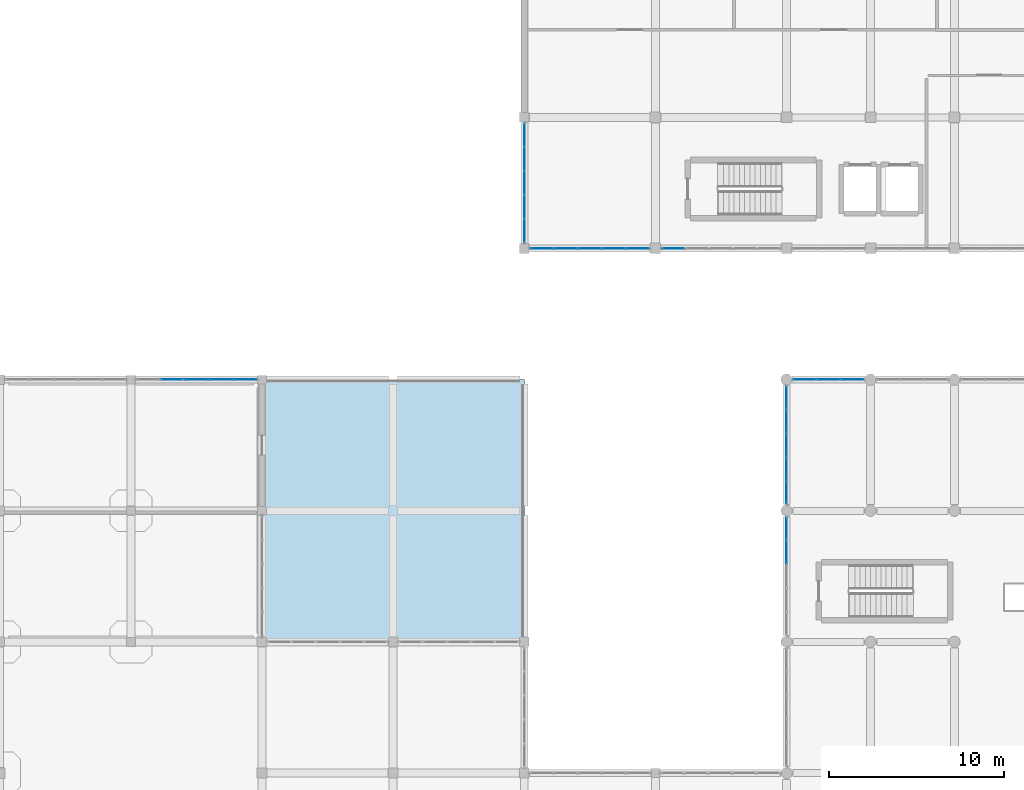
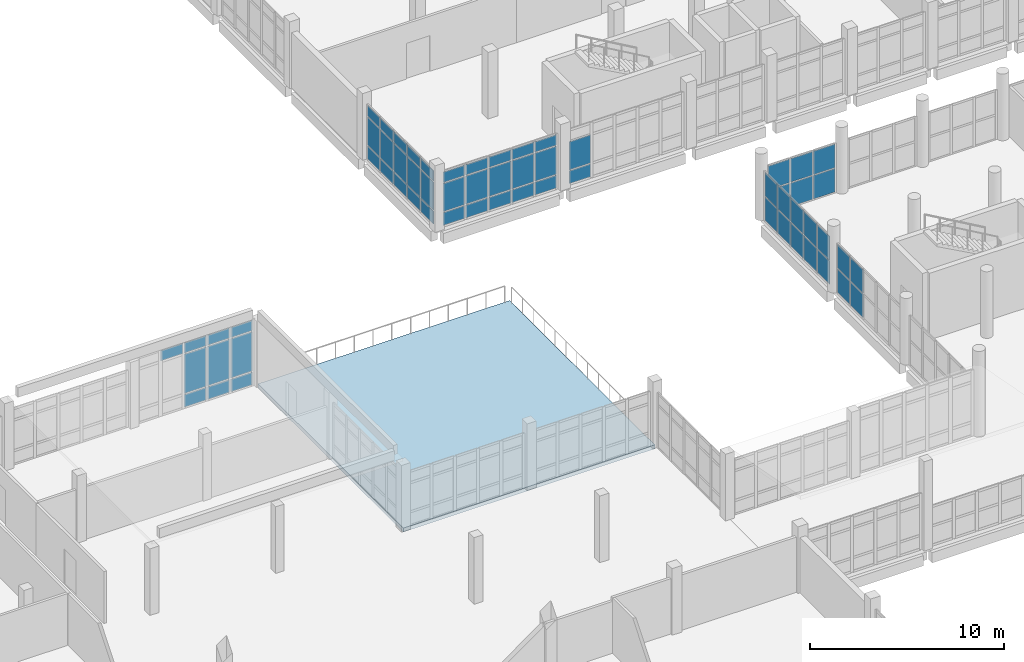
# One storey, part 130 of 164: 62 plates, 1 slab, 7 elements without a shape of their own.
"""IFC4 building model written with IfcOpenShell, lengths in metres."""

from ifc_helpers import new_model, si_unit, direction, frame, origin, origin_2d, place, context, subcontext, project, spatial, polyline, rectangle, outline, extrude, material, layer, layer_set, type_object, element, aggregate, save


model = new_model("IFC4")

# Units and contexts
model_context = context("Model", 3, precision=1e-05, world=origin(), true_north=direction((0.0, 1.0)))
body_context = subcontext(model_context, "Body", "Model", "MODEL_VIEW")
ifc_project = project(units=[si_unit("LENGTHUNIT", "METRE"), si_unit("AREAUNIT", "SQUARE_METRE"), si_unit("VOLUMEUNIT", "CUBIC_METRE"), si_unit("PLANEANGLEUNIT", "RADIAN"), si_unit("MASSUNIT", "GRAM", prefix="KILO")], contexts=[model_context])

# Site, building, storey
site_placement = place(None, origin())
site = spatial("IfcSite", under=ifc_project, at=site_placement, CompositionType="ELEMENT")
building_placement = place(site_placement, origin())
building = spatial("IfcBuilding", under=site, at=building_placement, Name="Mawjan Specialist Oncology Clinic", CompositionType="ELEMENT")
storey_placement = place(building_placement, frame((0.0, 0.0, 5.0)))
storey = spatial("IfcBuildingStorey", under=building, at=storey_placement, Name="L01", CompositionType="ELEMENT", Elevation=5.0)

# Curtain wall, plates
ifc_material_1 = material(Name="Unitised spectrally selective aluminium curtain wall", Category="aluminium")
ifc_layer_1 = layer(ifc_material_1, 0.179931640625, Name="Unitised spectrally selective aluminium curtain wall", Category="aluminium")
ifc_layer_set_1 = layer_set([ifc_layer_1], Name="Unitised spectrally selective aluminium curtain wall")
curtain_wall_type_1 = type_object("IfcCurtainWallType", Name="CW-55", PredefinedType="NOTDEFINED", material=ifc_layer_set_1)
curtain_wall_1_placement = place(storey_placement, origin())
curtain_wall_1 = element("IfcCurtainWall", 1, at=curtain_wall_1_placement, inside=storey, type_object=curtain_wall_type_1, Name="L01 Unitised Curtain Wall CW-L01-101", PredefinedType="NOTDEFINED")
ifc_material_2 = material(Name="Spectrally selective double low-E glazing", Category="glass")
ifc_layer_2 = layer(ifc_material_2, 0.031982421875, Name="Spectrally selective double low-E glazing", Category="glass")
ifc_layer_set_2 = layer_set([ifc_layer_2], Name="Spectrally selective double low-E glazing")
plate_type = type_object("IfcPlateType", Name="CW-P32", PredefinedType="CURTAIN_PANEL", material=ifc_layer_set_2)
plate_1_placement = place(storey_placement, frame((60.0, 65.912109375, 0.06494140625), z_axis=(0.0, 0.0, 1.0), x_axis=(0.0, 1.0, 0.0)))
plate_1 = element("IfcPlate", 2, at=plate_1_placement, type_object=plate_type, Name="CW-55 panel 4.1", PredefinedType="CURTAIN_PANEL", context=body_context, shape_type="SweptSolid", body=[
    extrude(rectangle(XDim=1.297119140625, YDim=0.031982421875, at=origin_2d()), origin(), (0.0, 0.0, 1.0), 1.472412109375),
])
plate_2_placement = place(storey_placement, frame((60.0, 65.912109375, 1.6025390625), z_axis=(0.0, 0.0, 1.0), x_axis=(0.0, 1.0, 0.0)))
plate_2 = element("IfcPlate", 3, at=plate_2_placement, type_object=plate_type, Name="CW-55 panel 4.2", PredefinedType="CURTAIN_PANEL", context=body_context, shape_type="SweptSolid", body=[
    extrude(rectangle(XDim=1.297119140625, YDim=0.031982421875, at=origin_2d()), origin(), (0.0, 0.0, 1.0), 1.472412109375),
])
plate_3_placement = place(storey_placement, frame((60.0, 67.2578125, 0.06494140625), z_axis=(0.0, 0.0, 1.0), x_axis=(0.0, 1.0, 0.0)))
plate_3 = element("IfcPlate", 4, at=plate_3_placement, type_object=plate_type, Name="CW-55 panel 5.1", PredefinedType="CURTAIN_PANEL", context=body_context, shape_type="SweptSolid", body=[
    extrude(rectangle(XDim=1.264404296875, YDim=0.031982421875, at=origin_2d()), origin(), (0.0, 0.0, 1.0), 1.472412109375),
])
plate_4_placement = place(storey_placement, frame((60.0, 67.2578125, 1.6025390625), z_axis=(0.0, 0.0, 1.0), x_axis=(0.0, 1.0, 0.0)))
plate_4 = element("IfcPlate", 5, at=plate_4_placement, type_object=plate_type, Name="CW-55 panel 5.2", PredefinedType="CURTAIN_PANEL", context=body_context, shape_type="SweptSolid", body=[
    extrude(rectangle(XDim=1.264404296875, YDim=0.031982421875, at=origin_2d()), origin(), (0.0, 0.0, 1.0), 1.472412109375),
])
aggregate(curtain_wall_1, [plate_1, plate_2, plate_3, plate_4])

curtain_wall_2_placement = place(storey_placement, origin())
curtain_wall_2 = element("IfcCurtainWall", 6, at=curtain_wall_2_placement, inside=storey, type_object=curtain_wall_type_1, Name="L01 Unitised Curtain Wall CW-L01-102", PredefinedType="NOTDEFINED")
plate_5_placement = place(storey_placement, frame((60.0, 69.34228515625, 0.06494140625), z_axis=(0.0, 0.0, 1.0), x_axis=(0.0, 1.0, 0.0)))
plate_5 = element("IfcPlate", 7, at=plate_5_placement, type_object=plate_type, Name="CW-55 panel 1.1", PredefinedType="CURTAIN_PANEL", context=body_context, shape_type="SweptSolid", body=[
    extrude(rectangle(XDim=1.264404296875, YDim=0.031982421875, at=origin_2d()), origin(), (0.0, 0.0, 1.0), 1.472412109375),
])
plate_6_placement = place(storey_placement, frame((60.0, 69.34228515625, 1.6025390625), z_axis=(0.0, 0.0, 1.0), x_axis=(0.0, 1.0, 0.0)))
plate_6 = element("IfcPlate", 8, at=plate_6_placement, type_object=plate_type, Name="CW-55 panel 1.2", PredefinedType="CURTAIN_PANEL", context=body_context, shape_type="SweptSolid", body=[
    extrude(rectangle(XDim=1.264404296875, YDim=0.031982421875, at=origin_2d()), origin(), (0.0, 0.0, 1.0), 1.472412109375),
])
plate_7_placement = place(storey_placement, frame((60.0, 70.68798828125, 0.06494140625), z_axis=(0.0, 0.0, 1.0), x_axis=(0.0, 1.0, 0.0)))
plate_7 = element("IfcPlate", 9, at=plate_7_placement, type_object=plate_type, Name="CW-55 panel 2.1", PredefinedType="CURTAIN_PANEL", context=body_context, shape_type="SweptSolid", body=[
    extrude(rectangle(XDim=1.297119140625, YDim=0.031982421875, at=origin_2d()), origin(), (0.0, 0.0, 1.0), 1.472412109375),
])
plate_8_placement = place(storey_placement, frame((60.0, 70.68798828125, 1.6025390625), z_axis=(0.0, 0.0, 1.0), x_axis=(0.0, 1.0, 0.0)))
plate_8 = element("IfcPlate", 10, at=plate_8_placement, type_object=plate_type, Name="CW-55 panel 2.2", PredefinedType="CURTAIN_PANEL", context=body_context, shape_type="SweptSolid", body=[
    extrude(rectangle(XDim=1.297119140625, YDim=0.031982421875, at=origin_2d()), origin(), (0.0, 0.0, 1.0), 1.472412109375),
])
plate_9_placement = place(storey_placement, frame((60.0, 72.050048828125, 0.06494140625), z_axis=(0.0, 0.0, 1.0), x_axis=(0.0, 1.0, 0.0)))
plate_9 = element("IfcPlate", 11, at=plate_9_placement, type_object=plate_type, Name="CW-55 panel 3.1", PredefinedType="CURTAIN_PANEL", context=body_context, shape_type="SweptSolid", body=[
    extrude(rectangle(XDim=1.297119140625, YDim=0.031982421875, at=origin_2d()), origin(), (0.0, 0.0, 1.0), 1.472412109375),
])
plate_10_placement = place(storey_placement, frame((60.0, 72.050048828125, 1.6025390625), z_axis=(0.0, 0.0, 1.0), x_axis=(0.0, 1.0, 0.0)))
plate_10 = element("IfcPlate", 12, at=plate_10_placement, type_object=plate_type, Name="CW-55 panel 3.2", PredefinedType="CURTAIN_PANEL", context=body_context, shape_type="SweptSolid", body=[
    extrude(rectangle(XDim=1.297119140625, YDim=0.031982421875, at=origin_2d()), origin(), (0.0, 0.0, 1.0), 1.472412109375),
])
plate_11_placement = place(storey_placement, frame((60.0, 73.412109375, 0.06494140625), z_axis=(0.0, 0.0, 1.0), x_axis=(0.0, 1.0, 0.0)))
plate_11 = element("IfcPlate", 13, at=plate_11_placement, type_object=plate_type, Name="CW-55 panel 4.1", PredefinedType="CURTAIN_PANEL", context=body_context, shape_type="SweptSolid", body=[
    extrude(rectangle(XDim=1.297119140625, YDim=0.031982421875, at=origin_2d()), origin(), (0.0, 0.0, 1.0), 1.472412109375),
])
plate_12_placement = place(storey_placement, frame((60.0, 73.412109375, 1.6025390625), z_axis=(0.0, 0.0, 1.0), x_axis=(0.0, 1.0, 0.0)))
plate_12 = element("IfcPlate", 14, at=plate_12_placement, type_object=plate_type, Name="CW-55 panel 4.2", PredefinedType="CURTAIN_PANEL", context=body_context, shape_type="SweptSolid", body=[
    extrude(rectangle(XDim=1.297119140625, YDim=0.031982421875, at=origin_2d()), origin(), (0.0, 0.0, 1.0), 1.472412109375),
])
plate_13_placement = place(storey_placement, frame((60.0, 74.7578125, 0.06494140625), z_axis=(0.0, 0.0, 1.0), x_axis=(0.0, 1.0, 0.0)))
plate_13 = element("IfcPlate", 15, at=plate_13_placement, type_object=plate_type, Name="CW-55 panel 5.1", PredefinedType="CURTAIN_PANEL", context=body_context, shape_type="SweptSolid", body=[
    extrude(rectangle(XDim=1.264404296875, YDim=0.031982421875, at=origin_2d()), origin(), (0.0, 0.0, 1.0), 1.472412109375),
])
plate_14_placement = place(storey_placement, frame((60.0, 74.7578125, 1.6025390625), z_axis=(0.0, 0.0, 1.0), x_axis=(0.0, 1.0, 0.0)))
plate_14 = element("IfcPlate", 16, at=plate_14_placement, type_object=plate_type, Name="CW-55 panel 5.2", PredefinedType="CURTAIN_PANEL", context=body_context, shape_type="SweptSolid", body=[
    extrude(rectangle(XDim=1.264404296875, YDim=0.031982421875, at=origin_2d()), origin(), (0.0, 0.0, 1.0), 1.472412109375),
])
aggregate(curtain_wall_2, [plate_5, plate_6, plate_7, plate_8, plate_9, plate_10, plate_11, plate_12, plate_13, plate_14])

ifc_material_3 = material(Name="Unitised spectrally selective aluminium curtain wall", Category="aluminium")
ifc_layer_3 = layer(ifc_material_3, 0.179931640625, Name="Unitised spectrally selective aluminium curtain wall", Category="aluminium")
ifc_layer_set_3 = layer_set([ifc_layer_3], Name="Unitised spectrally selective aluminium curtain wall")
curtain_wall_type_2 = type_object("IfcCurtainWallType", Name="CW-56", PredefinedType="NOTDEFINED", material=ifc_layer_set_3)
curtain_wall_3_placement = place(storey_placement, origin())
curtain_wall_3 = element("IfcCurtainWall", 17, at=curtain_wall_3_placement, inside=storey, type_object=curtain_wall_type_2, Name="L01 Unitised Curtain Wall CW-L01-103", PredefinedType="NOTDEFINED")
plate_15_placement = place(storey_placement, frame((61.044921875, 75.800048828125, 0.06005859375), z_axis=(0.0, 0.0, 1.0), x_axis=(1.0, 0.0, 0.0)))
plate_15 = element("IfcPlate", 18, at=plate_15_placement, type_object=plate_type, Name="CW-56 panel 1.1", PredefinedType="CURTAIN_PANEL", context=body_context, shape_type="SweptSolid", body=[
    extrude(rectangle(XDim=1.280029296875, YDim=0.031982421875, at=origin_2d()), origin(), (0.0, 0.0, 1.0), 1.47998046875),
])
plate_16_placement = place(storey_placement, frame((61.044921875, 75.800048828125, 1.60009765625), z_axis=(0.0, 0.0, 1.0), x_axis=(1.0, 0.0, 0.0)))
plate_16 = element("IfcPlate", 19, at=plate_16_placement, type_object=plate_type, Name="CW-56 panel 1.2", PredefinedType="CURTAIN_PANEL", context=body_context, shape_type="SweptSolid", body=[
    extrude(rectangle(XDim=1.280029296875, YDim=0.031982421875, at=origin_2d()), origin(), (0.0, 0.0, 1.0), 1.47998046875),
])
plate_17_placement = place(storey_placement, frame((62.39990234375, 75.800048828125, 0.06005859375), z_axis=(0.0, 0.0, 1.0), x_axis=(1.0, 0.0, 0.0)))
plate_17 = element("IfcPlate", 20, at=plate_17_placement, type_object=plate_type, Name="CW-56 panel 2.1", PredefinedType="CURTAIN_PANEL", context=body_context, shape_type="SweptSolid", body=[
    extrude(rectangle(XDim=1.31005859375, YDim=0.031982421875, at=origin_2d()), origin(), (0.0, 0.0, 1.0), 1.47998046875),
])
plate_18_placement = place(storey_placement, frame((62.39990234375, 75.800048828125, 1.60009765625), z_axis=(0.0, 0.0, 1.0), x_axis=(1.0, 0.0, 0.0)))
plate_18 = element("IfcPlate", 21, at=plate_18_placement, type_object=plate_type, Name="CW-56 panel 2.2", PredefinedType="CURTAIN_PANEL", context=body_context, shape_type="SweptSolid", body=[
    extrude(rectangle(XDim=1.31005859375, YDim=0.031982421875, at=origin_2d()), origin(), (0.0, 0.0, 1.0), 1.47998046875),
])
plate_19_placement = place(storey_placement, frame((63.7548828125, 75.800048828125, 0.06005859375), z_axis=(0.0, 0.0, 1.0), x_axis=(1.0, 0.0, 0.0)))
plate_19 = element("IfcPlate", 22, at=plate_19_placement, type_object=plate_type, Name="CW-56 panel 3.1", PredefinedType="CURTAIN_PANEL", context=body_context, shape_type="SweptSolid", body=[
    extrude(rectangle(XDim=1.280029296875, YDim=0.031982421875, at=origin_2d()), origin(), (0.0, 0.0, 1.0), 1.47998046875),
])
plate_20_placement = place(storey_placement, frame((63.7548828125, 75.800048828125, 1.60009765625), z_axis=(0.0, 0.0, 1.0), x_axis=(1.0, 0.0, 0.0)))
plate_20 = element("IfcPlate", 23, at=plate_20_placement, type_object=plate_type, Name="CW-56 panel 3.2", PredefinedType="CURTAIN_PANEL", context=body_context, shape_type="SweptSolid", body=[
    extrude(rectangle(XDim=1.280029296875, YDim=0.031982421875, at=origin_2d()), origin(), (0.0, 0.0, 1.0), 1.47998046875),
])
aggregate(curtain_wall_3, [plate_15, plate_16, plate_17, plate_18, plate_19, plate_20])

ifc_material_4 = material(Name="Unitised spectrally selective aluminium curtain wall", Category="aluminium")
ifc_layer_4 = layer(ifc_material_4, 0.179931640625, Name="Unitised spectrally selective aluminium curtain wall", Category="aluminium")
ifc_layer_set_4 = layer_set([ifc_layer_4], Name="Unitised spectrally selective aluminium curtain wall")
curtain_wall_type_3 = type_object("IfcCurtainWallType", Name="CW-60", PredefinedType="NOTDEFINED", material=ifc_layer_set_4)
curtain_wall_4_placement = place(storey_placement, origin())
curtain_wall_4 = element("IfcCurtainWall", 24, at=curtain_wall_4_placement, inside=storey, type_object=curtain_wall_type_3, Name="L01 Unitised Curtain Wall CW-L01-114", PredefinedType="NOTDEFINED")
plate_21_placement = place(storey_placement, frame((53.522216796875, 83.300048828125, 0.06494140625), z_axis=(0.0, 0.0, 1.0), x_axis=(-1.0, 0.0, 0.0)))
plate_21 = element("IfcPlate", 25, at=plate_21_placement, type_object=plate_type, Name="CW-60 panel 5.1", PredefinedType="CURTAIN_PANEL", context=body_context, shape_type="SweptSolid", body=[
    extrude(rectangle(XDim=1.2744140625, YDim=0.031982421875, at=origin_2d()), origin(), (0.0, 0.0, 1.0), 0.802490234375),
])
plate_22_placement = place(storey_placement, frame((53.522216796875, 83.300048828125, 0.932373046875), z_axis=(0.0, 0.0, 1.0), x_axis=(-1.0, 0.0, 0.0)))
plate_22 = element("IfcPlate", 26, at=plate_22_placement, type_object=plate_type, Name="CW-60 panel 5.2", PredefinedType="CURTAIN_PANEL", context=body_context, shape_type="SweptSolid", body=[
    extrude(rectangle(XDim=1.2744140625, YDim=0.031982421875, at=origin_2d()), origin(), (0.0, 0.0, 1.0), 1.77001953125),
])
aggregate(curtain_wall_4, [plate_21, plate_22])

ifc_material_5 = material(Name="Unitised spectrally selective aluminium curtain wall", Category="aluminium")
ifc_layer_5 = layer(ifc_material_5, 0.179931640625, Name="Unitised spectrally selective aluminium curtain wall", Category="aluminium")
ifc_layer_set_5 = layer_set([ifc_layer_5], Name="Unitised spectrally selective aluminium curtain wall")
curtain_wall_type_4 = type_object("IfcCurtainWallType", Name="CW-61", PredefinedType="NOTDEFINED", material=ifc_layer_set_5)
curtain_wall_5_placement = place(storey_placement, origin())
curtain_wall_5 = element("IfcCurtainWall", 27, at=curtain_wall_5_placement, inside=storey, type_object=curtain_wall_type_4, Name="L01 Unitised Curtain Wall CW-L01-115", PredefinedType="NOTDEFINED")
plate_23_placement = place(storey_placement, frame((51.475341796875, 83.300048828125, 0.06494140625), z_axis=(0.0, 0.0, 1.0), x_axis=(-1.0, 0.0, 0.0)))
plate_23 = element("IfcPlate", 28, at=plate_23_placement, type_object=plate_type, Name="CW-61 panel 1.1", PredefinedType="CURTAIN_PANEL", context=body_context, shape_type="SweptSolid", body=[
    extrude(rectangle(XDim=1.279541015625, YDim=0.031982421875, at=origin_2d()), origin(), (0.0, 0.0, 1.0), 0.802490234375),
])
plate_24_placement = place(storey_placement, frame((51.475341796875, 83.300048828125, 0.932373046875), z_axis=(0.0, 0.0, 1.0), x_axis=(-1.0, 0.0, 0.0)))
plate_24 = element("IfcPlate", 29, at=plate_24_placement, type_object=plate_type, Name="CW-61 panel 1.2", PredefinedType="CURTAIN_PANEL", context=body_context, shape_type="SweptSolid", body=[
    extrude(rectangle(XDim=1.279541015625, YDim=0.031982421875, at=origin_2d()), origin(), (0.0, 0.0, 1.0), 1.77001953125),
])
plate_25_placement = place(storey_placement, frame((51.475341796875, 83.300048828125, 2.767578125), z_axis=(0.0, 0.0, 1.0), x_axis=(-1.0, 0.0, 0.0)))
plate_25 = element("IfcPlate", 30, at=plate_25_placement, type_object=plate_type, Name="CW-61 panel 1.3", PredefinedType="CURTAIN_PANEL", context=body_context, shape_type="SweptSolid", body=[
    extrude(rectangle(XDim=1.279541015625, YDim=0.031982421875, at=origin_2d()), origin(), (0.0, 0.0, 1.0), 0.652587890625),
])
plate_26_placement = place(storey_placement, frame((50.114501953125, 83.300048828125, 0.06494140625), z_axis=(0.0, 0.0, 1.0), x_axis=(-1.0, 0.0, 0.0)))
plate_26 = element("IfcPlate", 31, at=plate_26_placement, type_object=plate_type, Name="CW-61 panel 2.1", PredefinedType="CURTAIN_PANEL", context=body_context, shape_type="SweptSolid", body=[
    extrude(rectangle(XDim=1.31201171875, YDim=0.031982421875, at=origin_2d()), origin(), (0.0, 0.0, 1.0), 0.802490234375),
])
plate_27_placement = place(storey_placement, frame((50.114501953125, 83.300048828125, 0.932373046875), z_axis=(0.0, 0.0, 1.0), x_axis=(-1.0, 0.0, 0.0)))
plate_27 = element("IfcPlate", 32, at=plate_27_placement, type_object=plate_type, Name="CW-61 panel 2.2", PredefinedType="CURTAIN_PANEL", context=body_context, shape_type="SweptSolid", body=[
    extrude(rectangle(XDim=1.31201171875, YDim=0.031982421875, at=origin_2d()), origin(), (0.0, 0.0, 1.0), 1.77001953125),
])
plate_28_placement = place(storey_placement, frame((50.114501953125, 83.300048828125, 2.767578125), z_axis=(0.0, 0.0, 1.0), x_axis=(-1.0, 0.0, 0.0)))
plate_28 = element("IfcPlate", 33, at=plate_28_placement, type_object=plate_type, Name="CW-61 panel 2.3", PredefinedType="CURTAIN_PANEL", context=body_context, shape_type="SweptSolid", body=[
    extrude(rectangle(XDim=1.31201171875, YDim=0.031982421875, at=origin_2d()), origin(), (0.0, 0.0, 1.0), 0.652587890625),
])
plate_29_placement = place(storey_placement, frame((48.737548828125, 83.300048828125, 0.06494140625), z_axis=(0.0, 0.0, 1.0), x_axis=(-1.0, 0.0, 0.0)))
plate_29 = element("IfcPlate", 34, at=plate_29_placement, type_object=plate_type, Name="CW-61 panel 3.1", PredefinedType="CURTAIN_PANEL", context=body_context, shape_type="SweptSolid", body=[
    extrude(rectangle(XDim=1.31201171875, YDim=0.031982421875, at=origin_2d()), origin(), (0.0, 0.0, 1.0), 0.802490234375),
])
plate_30_placement = place(storey_placement, frame((48.737548828125, 83.300048828125, 0.932373046875), z_axis=(0.0, 0.0, 1.0), x_axis=(-1.0, 0.0, 0.0)))
plate_30 = element("IfcPlate", 35, at=plate_30_placement, type_object=plate_type, Name="CW-61 panel 3.2", PredefinedType="CURTAIN_PANEL", context=body_context, shape_type="SweptSolid", body=[
    extrude(rectangle(XDim=1.31201171875, YDim=0.031982421875, at=origin_2d()), origin(), (0.0, 0.0, 1.0), 1.77001953125),
])
plate_31_placement = place(storey_placement, frame((48.737548828125, 83.300048828125, 2.767578125), z_axis=(0.0, 0.0, 1.0), x_axis=(-1.0, 0.0, 0.0)))
plate_31 = element("IfcPlate", 36, at=plate_31_placement, type_object=plate_type, Name="CW-61 panel 3.3", PredefinedType="CURTAIN_PANEL", context=body_context, shape_type="SweptSolid", body=[
    extrude(rectangle(XDim=1.31201171875, YDim=0.031982421875, at=origin_2d()), origin(), (0.0, 0.0, 1.0), 0.652587890625),
])
plate_32_placement = place(storey_placement, frame((47.360595703125, 83.300048828125, 0.06494140625), z_axis=(0.0, 0.0, 1.0), x_axis=(-1.0, 0.0, 0.0)))
plate_32 = element("IfcPlate", 37, at=plate_32_placement, type_object=plate_type, Name="CW-61 panel 4.1", PredefinedType="CURTAIN_PANEL", context=body_context, shape_type="SweptSolid", body=[
    extrude(rectangle(XDim=1.31201171875, YDim=0.031982421875, at=origin_2d()), origin(), (0.0, 0.0, 1.0), 0.802490234375),
])
plate_33_placement = place(storey_placement, frame((47.360595703125, 83.300048828125, 0.932373046875), z_axis=(0.0, 0.0, 1.0), x_axis=(-1.0, 0.0, 0.0)))
plate_33 = element("IfcPlate", 38, at=plate_33_placement, type_object=plate_type, Name="CW-61 panel 4.2", PredefinedType="CURTAIN_PANEL", context=body_context, shape_type="SweptSolid", body=[
    extrude(rectangle(XDim=1.31201171875, YDim=0.031982421875, at=origin_2d()), origin(), (0.0, 0.0, 1.0), 1.77001953125),
])
plate_34_placement = place(storey_placement, frame((47.360595703125, 83.300048828125, 2.767578125), z_axis=(0.0, 0.0, 1.0), x_axis=(-1.0, 0.0, 0.0)))
plate_34 = element("IfcPlate", 39, at=plate_34_placement, type_object=plate_type, Name="CW-61 panel 4.3", PredefinedType="CURTAIN_PANEL", context=body_context, shape_type="SweptSolid", body=[
    extrude(rectangle(XDim=1.31201171875, YDim=0.031982421875, at=origin_2d()), origin(), (0.0, 0.0, 1.0), 0.652587890625),
])
plate_35_placement = place(storey_placement, frame((45.999755859375, 83.300048828125, 0.06494140625), z_axis=(0.0, 0.0, 1.0), x_axis=(-1.0, 0.0, 0.0)))
plate_35 = element("IfcPlate", 40, at=plate_35_placement, type_object=plate_type, Name="CW-61 panel 5.1", PredefinedType="CURTAIN_PANEL", context=body_context, shape_type="SweptSolid", body=[
    extrude(rectangle(XDim=1.279541015625, YDim=0.031982421875, at=origin_2d()), origin(), (0.0, 0.0, 1.0), 0.802490234375),
])
plate_36_placement = place(storey_placement, frame((45.999755859375, 83.300048828125, 0.932373046875), z_axis=(0.0, 0.0, 1.0), x_axis=(-1.0, 0.0, 0.0)))
plate_36 = element("IfcPlate", 41, at=plate_36_placement, type_object=plate_type, Name="CW-61 panel 5.2", PredefinedType="CURTAIN_PANEL", context=body_context, shape_type="SweptSolid", body=[
    extrude(rectangle(XDim=1.279541015625, YDim=0.031982421875, at=origin_2d()), origin(), (0.0, 0.0, 1.0), 1.77001953125),
])
plate_37_placement = place(storey_placement, frame((45.999755859375, 83.300048828125, 2.767578125), z_axis=(0.0, 0.0, 1.0), x_axis=(-1.0, 0.0, 0.0)))
plate_37 = element("IfcPlate", 42, at=plate_37_placement, type_object=plate_type, Name="CW-61 panel 5.3", PredefinedType="CURTAIN_PANEL", context=body_context, shape_type="SweptSolid", body=[
    extrude(rectangle(XDim=1.279541015625, YDim=0.031982421875, at=origin_2d()), origin(), (0.0, 0.0, 1.0), 0.652587890625),
])
aggregate(curtain_wall_5, [plate_23, plate_24, plate_25, plate_26, plate_27, plate_28, plate_29, plate_30, plate_31, plate_32, plate_33, plate_34, plate_35, plate_36, plate_37])

ifc_material_6 = material(Name="Unitised spectrally selective aluminium curtain wall", Category="aluminium")
ifc_layer_6 = layer(ifc_material_6, 0.179931640625, Name="Unitised spectrally selective aluminium curtain wall", Category="aluminium")
ifc_layer_set_6 = layer_set([ifc_layer_6], Name="Unitised spectrally selective aluminium curtain wall")
curtain_wall_type_5 = type_object("IfcCurtainWallType", Name="CW-52", PredefinedType="NOTDEFINED", material=ifc_layer_set_6)
curtain_wall_6_placement = place(storey_placement, origin())
curtain_wall_6 = element("IfcCurtainWall", 43, at=curtain_wall_6_placement, inside=storey, type_object=curtain_wall_type_5, Name="L01 Unitised Curtain Wall CW-L01-116", PredefinedType="NOTDEFINED")
plate_38_placement = place(storey_placement, frame((45.0, 84.30224609375, 0.06494140625), z_axis=(0.0, 0.0, 1.0), x_axis=(0.0, 1.0, 0.0)))
plate_38 = element("IfcPlate", 44, at=plate_38_placement, type_object=plate_type, Name="CW-52 panel 1.1", PredefinedType="CURTAIN_PANEL", context=body_context, shape_type="SweptSolid", body=[
    extrude(rectangle(XDim=1.284423828125, YDim=0.031982421875, at=origin_2d()), origin(), (0.0, 0.0, 1.0), 0.802490234375),
])
plate_39_placement = place(storey_placement, frame((45.0, 84.30224609375, 0.932373046875), z_axis=(0.0, 0.0, 1.0), x_axis=(0.0, 1.0, 0.0)))
plate_39 = element("IfcPlate", 45, at=plate_39_placement, type_object=plate_type, Name="CW-52 panel 1.2", PredefinedType="CURTAIN_PANEL", context=body_context, shape_type="SweptSolid", body=[
    extrude(rectangle(XDim=1.284423828125, YDim=0.031982421875, at=origin_2d()), origin(), (0.0, 0.0, 1.0), 1.77001953125),
])
plate_40_placement = place(storey_placement, frame((45.0, 84.30224609375, 2.767578125), z_axis=(0.0, 0.0, 1.0), x_axis=(0.0, 1.0, 0.0)))
plate_40 = element("IfcPlate", 46, at=plate_40_placement, type_object=plate_type, Name="CW-52 panel 1.3", PredefinedType="CURTAIN_PANEL", context=body_context, shape_type="SweptSolid", body=[
    extrude(rectangle(XDim=1.284423828125, YDim=0.031982421875, at=origin_2d()), origin(), (0.0, 0.0, 1.0), 0.652587890625),
])
plate_41_placement = place(storey_placement, frame((45.0, 85.66796875, 0.06494140625), z_axis=(0.0, 0.0, 1.0), x_axis=(0.0, 1.0, 0.0)))
plate_41 = element("IfcPlate", 47, at=plate_41_placement, type_object=plate_type, Name="CW-52 panel 2.1", PredefinedType="CURTAIN_PANEL", context=body_context, shape_type="SweptSolid", body=[
    extrude(rectangle(XDim=1.31689453125, YDim=0.031982421875, at=origin_2d()), origin(), (0.0, 0.0, 1.0), 0.802490234375),
])
plate_42_placement = place(storey_placement, frame((45.0, 85.66796875, 0.932373046875), z_axis=(0.0, 0.0, 1.0), x_axis=(0.0, 1.0, 0.0)))
plate_42 = element("IfcPlate", 48, at=plate_42_placement, type_object=plate_type, Name="CW-52 panel 2.2", PredefinedType="CURTAIN_PANEL", context=body_context, shape_type="SweptSolid", body=[
    extrude(rectangle(XDim=1.31689453125, YDim=0.031982421875, at=origin_2d()), origin(), (0.0, 0.0, 1.0), 1.77001953125),
])
plate_43_placement = place(storey_placement, frame((45.0, 85.66796875, 2.767578125), z_axis=(0.0, 0.0, 1.0), x_axis=(0.0, 1.0, 0.0)))
plate_43 = element("IfcPlate", 49, at=plate_43_placement, type_object=plate_type, Name="CW-52 panel 2.3", PredefinedType="CURTAIN_PANEL", context=body_context, shape_type="SweptSolid", body=[
    extrude(rectangle(XDim=1.31689453125, YDim=0.031982421875, at=origin_2d()), origin(), (0.0, 0.0, 1.0), 0.652587890625),
])
plate_44_placement = place(storey_placement, frame((45.0, 87.050048828125, 0.06494140625), z_axis=(0.0, 0.0, 1.0), x_axis=(0.0, 1.0, 0.0)))
plate_44 = element("IfcPlate", 50, at=plate_44_placement, type_object=plate_type, Name="CW-52 panel 3.1", PredefinedType="CURTAIN_PANEL", context=body_context, shape_type="SweptSolid", body=[
    extrude(rectangle(XDim=1.31689453125, YDim=0.031982421875, at=origin_2d()), origin(), (0.0, 0.0, 1.0), 0.802490234375),
])
plate_45_placement = place(storey_placement, frame((45.0, 87.050048828125, 0.932373046875), z_axis=(0.0, 0.0, 1.0), x_axis=(0.0, 1.0, 0.0)))
plate_45 = element("IfcPlate", 51, at=plate_45_placement, type_object=plate_type, Name="CW-52 panel 3.2", PredefinedType="CURTAIN_PANEL", context=body_context, shape_type="SweptSolid", body=[
    extrude(rectangle(XDim=1.31689453125, YDim=0.031982421875, at=origin_2d()), origin(), (0.0, 0.0, 1.0), 1.77001953125),
])
plate_46_placement = place(storey_placement, frame((45.0, 87.050048828125, 2.767578125), z_axis=(0.0, 0.0, 1.0), x_axis=(0.0, 1.0, 0.0)))
plate_46 = element("IfcPlate", 52, at=plate_46_placement, type_object=plate_type, Name="CW-52 panel 3.3", PredefinedType="CURTAIN_PANEL", context=body_context, shape_type="SweptSolid", body=[
    extrude(rectangle(XDim=1.31689453125, YDim=0.031982421875, at=origin_2d()), origin(), (0.0, 0.0, 1.0), 0.652587890625),
])
plate_47_placement = place(storey_placement, frame((45.0, 88.431884765625, 0.06494140625), z_axis=(0.0, 0.0, 1.0), x_axis=(0.0, 1.0, 0.0)))
plate_47 = element("IfcPlate", 53, at=plate_47_placement, type_object=plate_type, Name="CW-52 panel 4.1", PredefinedType="CURTAIN_PANEL", context=body_context, shape_type="SweptSolid", body=[
    extrude(rectangle(XDim=1.31689453125, YDim=0.031982421875, at=origin_2d()), origin(), (0.0, 0.0, 1.0), 0.802490234375),
])
plate_48_placement = place(storey_placement, frame((45.0, 88.431884765625, 0.932373046875), z_axis=(0.0, 0.0, 1.0), x_axis=(0.0, 1.0, 0.0)))
plate_48 = element("IfcPlate", 54, at=plate_48_placement, type_object=plate_type, Name="CW-52 panel 4.2", PredefinedType="CURTAIN_PANEL", context=body_context, shape_type="SweptSolid", body=[
    extrude(rectangle(XDim=1.31689453125, YDim=0.031982421875, at=origin_2d()), origin(), (0.0, 0.0, 1.0), 1.77001953125),
])
plate_49_placement = place(storey_placement, frame((45.0, 88.431884765625, 2.767578125), z_axis=(0.0, 0.0, 1.0), x_axis=(0.0, 1.0, 0.0)))
plate_49 = element("IfcPlate", 55, at=plate_49_placement, type_object=plate_type, Name="CW-52 panel 4.3", PredefinedType="CURTAIN_PANEL", context=body_context, shape_type="SweptSolid", body=[
    extrude(rectangle(XDim=1.31689453125, YDim=0.031982421875, at=origin_2d()), origin(), (0.0, 0.0, 1.0), 0.652587890625),
])
plate_50_placement = place(storey_placement, frame((45.0, 89.7978515625, 0.06494140625), z_axis=(0.0, 0.0, 1.0), x_axis=(0.0, 1.0, 0.0)))
plate_50 = element("IfcPlate", 56, at=plate_50_placement, type_object=plate_type, Name="CW-52 panel 5.1", PredefinedType="CURTAIN_PANEL", context=body_context, shape_type="SweptSolid", body=[
    extrude(rectangle(XDim=1.284423828125, YDim=0.031982421875, at=origin_2d()), origin(), (0.0, 0.0, 1.0), 0.802490234375),
])
plate_51_placement = place(storey_placement, frame((45.0, 89.7978515625, 0.932373046875), z_axis=(0.0, 0.0, 1.0), x_axis=(0.0, 1.0, 0.0)))
plate_51 = element("IfcPlate", 57, at=plate_51_placement, type_object=plate_type, Name="CW-52 panel 5.2", PredefinedType="CURTAIN_PANEL", context=body_context, shape_type="SweptSolid", body=[
    extrude(rectangle(XDim=1.284423828125, YDim=0.031982421875, at=origin_2d()), origin(), (0.0, 0.0, 1.0), 1.77001953125),
])
plate_52_placement = place(storey_placement, frame((45.0, 89.7978515625, 2.767578125), z_axis=(0.0, 0.0, 1.0), x_axis=(0.0, 1.0, 0.0)))
plate_52 = element("IfcPlate", 58, at=plate_52_placement, type_object=plate_type, Name="CW-52 panel 5.3", PredefinedType="CURTAIN_PANEL", context=body_context, shape_type="SweptSolid", body=[
    extrude(rectangle(XDim=1.284423828125, YDim=0.031982421875, at=origin_2d()), origin(), (0.0, 0.0, 1.0), 0.652587890625),
])
aggregate(curtain_wall_6, [plate_38, plate_39, plate_40, plate_41, plate_42, plate_43, plate_44, plate_45, plate_46, plate_47, plate_48, plate_49, plate_50, plate_51, plate_52])

ifc_material_7 = material(Name="Unitised spectrally selective aluminium curtain wall", Category="aluminium")
ifc_layer_7 = layer(ifc_material_7, 0.179931640625, Name="Unitised spectrally selective aluminium curtain wall", Category="aluminium")
ifc_layer_set_7 = layer_set([ifc_layer_7], Name="Unitised spectrally selective aluminium curtain wall")
curtain_wall_type_6 = type_object("IfcCurtainWallType", Name="CW-65", PredefinedType="NOTDEFINED", material=ifc_layer_set_7)
curtain_wall_7_placement = place(storey_placement, origin())
curtain_wall_7 = element("IfcCurtainWall", 59, at=curtain_wall_7_placement, inside=storey, type_object=curtain_wall_type_6, Name="L01 Unitised Curtain Wall CW-L01-155", PredefinedType="NOTDEFINED")
plate_53_placement = place(storey_placement, frame((24.85791015625, 75.800048828125, 3.485107421875), z_axis=(0.0, 0.0, 1.0), x_axis=(1.0, 0.0, 0.0)))
plate_53 = element("IfcPlate", 60, at=plate_53_placement, type_object=plate_type, Name="CW-65 panel 2.3", PredefinedType="CURTAIN_PANEL", context=body_context, shape_type="SweptSolid", body=[
    extrude(rectangle(XDim=1.322021484375, YDim=0.031982421875, at=origin_2d()), origin(), (0.0, 0.0, 1.0), 0.64501953125),
])
plate_54_placement = place(storey_placement, frame((26.25, 75.800048828125, 0.070068359375), z_axis=(0.0, 0.0, 1.0), x_axis=(1.0, 0.0, 0.0)))
plate_54 = element("IfcPlate", 61, at=plate_54_placement, type_object=plate_type, Name="CW-65 panel 3.1", PredefinedType="CURTAIN_PANEL", context=body_context, shape_type="SweptSolid", body=[
    extrude(rectangle(XDim=1.322021484375, YDim=0.031982421875, at=origin_2d()), origin(), (0.0, 0.0, 1.0), 0.794921875),
])
plate_55_placement = place(storey_placement, frame((26.25, 75.800048828125, 0.93505859375), z_axis=(0.0, 0.0, 1.0), x_axis=(1.0, 0.0, 0.0)))
plate_55 = element("IfcPlate", 62, at=plate_55_placement, type_object=plate_type, Name="CW-65 panel 3.2", PredefinedType="CURTAIN_PANEL", context=body_context, shape_type="SweptSolid", body=[
    extrude(rectangle(XDim=1.322021484375, YDim=0.031982421875, at=origin_2d()), origin(), (0.0, 0.0, 1.0), 2.47998046875),
])
plate_56_placement = place(storey_placement, frame((26.25, 75.800048828125, 3.485107421875), z_axis=(0.0, 0.0, 1.0), x_axis=(1.0, 0.0, 0.0)))
plate_56 = element("IfcPlate", 63, at=plate_56_placement, type_object=plate_type, Name="CW-65 panel 3.3", PredefinedType="CURTAIN_PANEL", context=body_context, shape_type="SweptSolid", body=[
    extrude(rectangle(XDim=1.322021484375, YDim=0.031982421875, at=origin_2d()), origin(), (0.0, 0.0, 1.0), 0.64501953125),
])
plate_57_placement = place(storey_placement, frame((27.64208984375, 75.800048828125, 0.070068359375), z_axis=(0.0, 0.0, 1.0), x_axis=(1.0, 0.0, 0.0)))
plate_57 = element("IfcPlate", 64, at=plate_57_placement, type_object=plate_type, Name="CW-65 panel 4.1", PredefinedType="CURTAIN_PANEL", context=body_context, shape_type="SweptSolid", body=[
    extrude(rectangle(XDim=1.322021484375, YDim=0.031982421875, at=origin_2d()), origin(), (0.0, 0.0, 1.0), 0.794921875),
])
plate_58_placement = place(storey_placement, frame((27.64208984375, 75.800048828125, 0.93505859375), z_axis=(0.0, 0.0, 1.0), x_axis=(1.0, 0.0, 0.0)))
plate_58 = element("IfcPlate", 65, at=plate_58_placement, type_object=plate_type, Name="CW-65 panel 4.2", PredefinedType="CURTAIN_PANEL", context=body_context, shape_type="SweptSolid", body=[
    extrude(rectangle(XDim=1.322021484375, YDim=0.031982421875, at=origin_2d()), origin(), (0.0, 0.0, 1.0), 2.47998046875),
])
plate_59_placement = place(storey_placement, frame((27.64208984375, 75.800048828125, 3.485107421875), z_axis=(0.0, 0.0, 1.0), x_axis=(1.0, 0.0, 0.0)))
plate_59 = element("IfcPlate", 66, at=plate_59_placement, type_object=plate_type, Name="CW-65 panel 4.3", PredefinedType="CURTAIN_PANEL", context=body_context, shape_type="SweptSolid", body=[
    extrude(rectangle(XDim=1.322021484375, YDim=0.031982421875, at=origin_2d()), origin(), (0.0, 0.0, 1.0), 0.64501953125),
])
plate_60_placement = place(storey_placement, frame((29.0166015625, 75.800048828125, 0.070068359375), z_axis=(0.0, 0.0, 1.0), x_axis=(1.0, 0.0, 0.0)))
plate_60 = element("IfcPlate", 67, at=plate_60_placement, type_object=plate_type, Name="CW-65 panel 5.1", PredefinedType="CURTAIN_PANEL", context=body_context, shape_type="SweptSolid", body=[
    extrude(rectangle(XDim=1.287109375, YDim=0.031982421875, at=origin_2d()), origin(), (0.0, 0.0, 1.0), 0.794921875),
])
plate_61_placement = place(storey_placement, frame((29.0166015625, 75.800048828125, 0.93505859375), z_axis=(0.0, 0.0, 1.0), x_axis=(1.0, 0.0, 0.0)))
plate_61 = element("IfcPlate", 68, at=plate_61_placement, type_object=plate_type, Name="CW-65 panel 5.2", PredefinedType="CURTAIN_PANEL", context=body_context, shape_type="SweptSolid", body=[
    extrude(rectangle(XDim=1.287109375, YDim=0.031982421875, at=origin_2d()), origin(), (0.0, 0.0, 1.0), 2.47998046875),
])
plate_62_placement = place(storey_placement, frame((29.0166015625, 75.800048828125, 3.485107421875), z_axis=(0.0, 0.0, 1.0), x_axis=(1.0, 0.0, 0.0)))
plate_62 = element("IfcPlate", 69, at=plate_62_placement, type_object=plate_type, Name="CW-65 panel 5.3", PredefinedType="CURTAIN_PANEL", context=body_context, shape_type="SweptSolid", body=[
    extrude(rectangle(XDim=1.287109375, YDim=0.031982421875, at=origin_2d()), origin(), (0.0, 0.0, 1.0), 0.64501953125),
])
aggregate(curtain_wall_7, [plate_53, plate_54, plate_55, plate_56, plate_57, plate_58, plate_59, plate_60, plate_61, plate_62])

# Slab
ifc_material_8 = material(Name="Concrete C35/45", Category="concrete")
ifc_layer_8 = layer(ifc_material_8, 0.25, Name="Concrete C35/45", Category="concrete")
ifc_layer_set_8 = layer_set([ifc_layer_8], Name="Concrete C35/45")
slab_type = type_object("IfcSlabType", Name="RT-250", PredefinedType="ROOF", material=ifc_layer_set_8)
slab_placement = place(storey_placement, frame((0.0, 0.0, -0.25)))
element("IfcSlab", 70, at=slab_placement, inside=storey, type_object=slab_type, Name="L01 Accessible Healing Terrace TER-V4-L01", PredefinedType="ROOF", context=body_context, shape_type="SweptSolid", body=[
    extrude(outline(polyline([(30.0, 60.800048828125), (45.0, 60.800048828125), (45.0, 75.800048828125), (30.0, 75.800048828125), (30.0, 60.800048828125)])), origin(), (0.0, 0.0, 1.0), 0.25),
])

save(model, "model.ifc")
